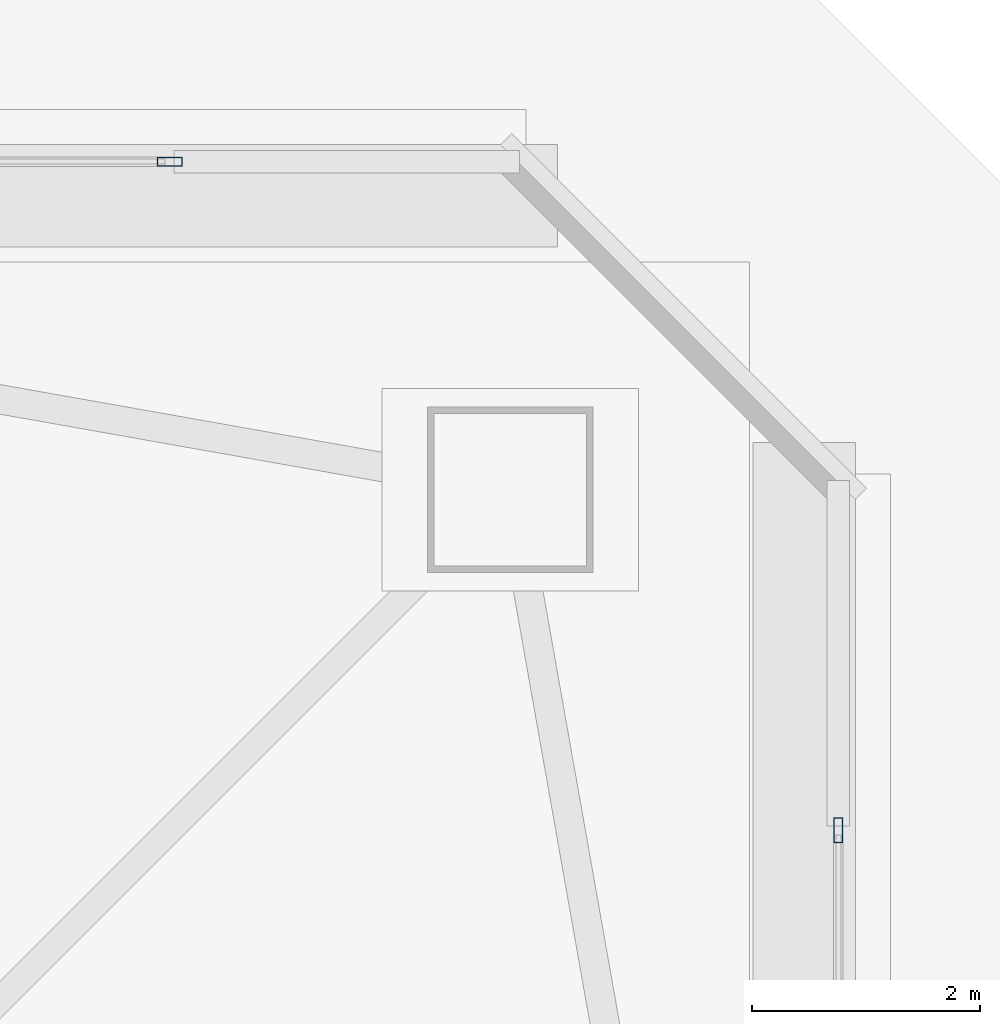
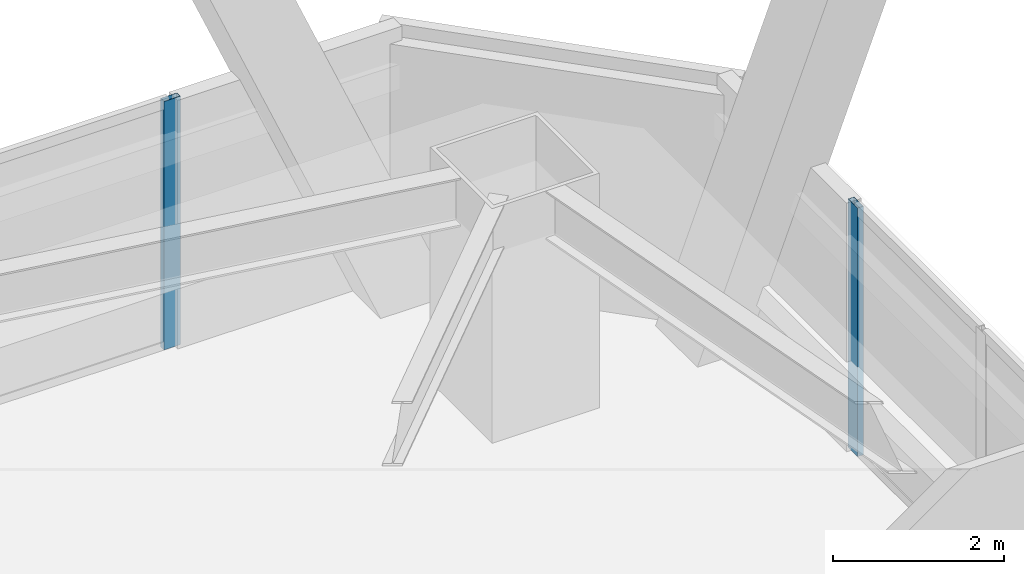
# One storey, part 30 of 67: 2 members, 2 elements without a shape of their own.
"""IFC4 building model written with IfcOpenShell, lengths in metres."""

from ifc_helpers import new_model, si_unit, direction, frame, origin, origin_2d, place, context, subcontext, project, spatial, hollow_rectangle, extrude, material, material_profile, profile_set, type_object, element, aggregate, save


model = new_model("IFC4")

# Units and contexts
model_context = context("Model", 3, precision=1e-05, world=origin(), true_north=direction((0.0, 1.0)))
body_context = subcontext(model_context, "Body", "Model", "MODEL_VIEW")
ifc_project = project(units=[si_unit("LENGTHUNIT", "METRE"), si_unit("AREAUNIT", "SQUARE_METRE"), si_unit("VOLUMEUNIT", "CUBIC_METRE"), si_unit("PLANEANGLEUNIT", "RADIAN"), si_unit("MASSUNIT", "GRAM", prefix="KILO")], contexts=[model_context])

# Site, building, storey
site_placement = place(None, origin())
site = spatial("IfcSite", under=ifc_project, at=site_placement, CompositionType="ELEMENT")
building_placement = place(site_placement, origin())
building = spatial("IfcBuilding", under=site, at=building_placement, Name="Tashvorn Skyway Center", CompositionType="ELEMENT")
storey_placement = place(building_placement, frame((0.0, 0.0, 67.199951171875)))
storey = spatial("IfcBuildingStorey", under=building, at=storey_placement, Name="L17", CompositionType="ELEMENT", Elevation=67.199951171875)

# Curtain wall, member
ifc_material = material(Name="Thermally broken bronze-anodized aluminium 6063-T6", Category="aluminium")
curtain_wall_type = type_object("IfcCurtainWallType", Name="CW-CW-Z2", PredefinedType="NOTDEFINED", material=ifc_material)
curtain_wall_1_placement = place(storey_placement, origin())
curtain_wall_1 = element("IfcCurtainWall", 1, at=curtain_wall_1_placement, inside=storey, type_object=curtain_wall_type, Name="Tower 1 L17 North Unitised Curtain Wall Glazing Group 3", PredefinedType="NOTDEFINED")
ifc_material_profile = material_profile(ifc_material, hollow_rectangle(XDim=0.080078125, YDim=0.219970703125, WallThickness=0.0048828125, at=origin_2d()), Name="ALU-MULL-80x220")
ifc_profile_set = profile_set([ifc_material_profile], Name="Thermally broken bronze-anodized aluminium 6063-T6")
member_type = type_object("IfcMemberType", Name="CWM-CW-Z2", PredefinedType="MULLION", material=ifc_profile_set)
member_1_placement = place(storey_placement, frame((57.110107421875, 52.97998046875, 0.0), z_axis=(0.0, 0.0, 1.0), x_axis=(0.0, 1.0, 0.0)))
member_1 = element("IfcMember", 2, at=member_1_placement, type_object=member_type, Name="CW-Z2 mullion 3", PredefinedType="MULLION", context=body_context, shape_type="SweptSolid", body=[
    extrude(hollow_rectangle(XDim=0.080078125, YDim=0.219970703125, WallThickness=0.0048828125, at=origin_2d()), origin(), (0.0, 0.0, 1.0), 3.550048828125),
])
aggregate(curtain_wall_1, [member_1])

curtain_wall_2_placement = place(storey_placement, origin())
curtain_wall_2 = element("IfcCurtainWall", 3, at=curtain_wall_2_placement, inside=storey, type_object=curtain_wall_type, Name="Tower 1 L17 East Unitised Curtain Wall Glazing Group 1", PredefinedType="NOTDEFINED")
member_2_placement = place(storey_placement, frame((62.97998046875, 47.110107421875, 0.0), z_axis=(0.0, 0.0, 1.0), x_axis=(1.0, 0.0, 0.0)))
member_2 = element("IfcMember", 4, at=member_2_placement, type_object=member_type, Name="CW-Z2 mullion 1", PredefinedType="MULLION", context=body_context, shape_type="SweptSolid", body=[
    extrude(hollow_rectangle(XDim=0.080078125, YDim=0.219970703125, WallThickness=0.0048828125, at=origin_2d()), origin(), (0.0, 0.0, 1.0), 3.550048828125),
])
aggregate(curtain_wall_2, [member_2])

save(model, "model.ifc")
